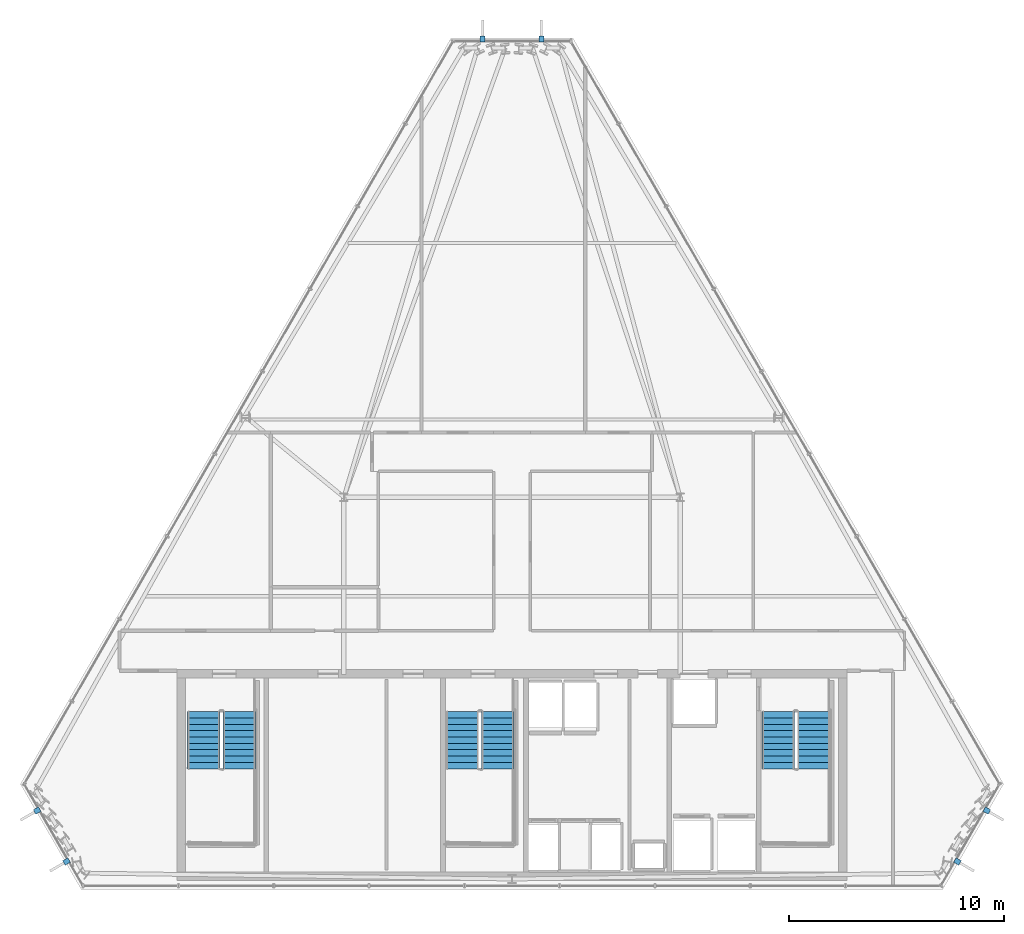
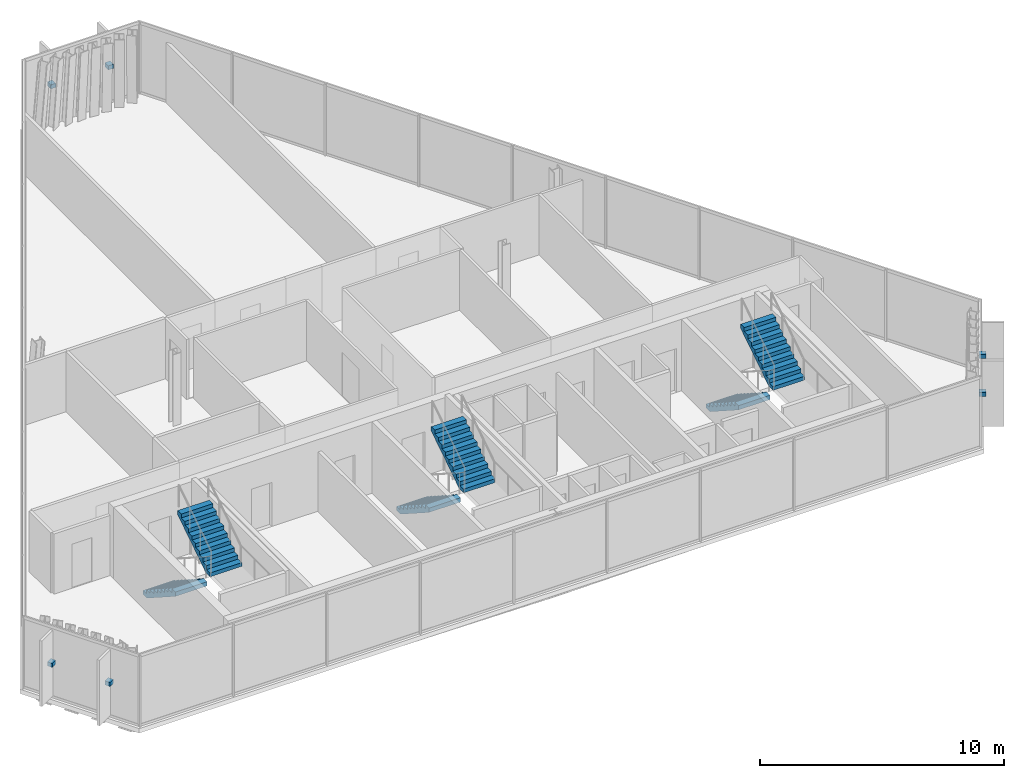
# One storey, part 31 of 34: 6 discrete accessories, 6 stair flights, 3 elements without a shape of their own.
"""IFC4 building model written with IfcOpenShell, lengths in metres."""

from ifc_helpers import new_model, si_unit, direction, frame, origin, origin_2d, place, context, subcontext, project, spatial, polyline, rectangle, outline, extrude, material, type_object, element, aggregate, save


model = new_model("IFC4")

# Units and contexts
model_context = context("Model", 3, precision=1e-05, world=origin(), true_north=direction((0.0, 1.0)))
body_context = subcontext(model_context, "Body", "Model", "MODEL_VIEW")
ifc_project = project(units=[si_unit("LENGTHUNIT", "METRE"), si_unit("AREAUNIT", "SQUARE_METRE"), si_unit("VOLUMEUNIT", "CUBIC_METRE"), si_unit("PLANEANGLEUNIT", "RADIAN"), si_unit("MASSUNIT", "GRAM", prefix="KILO")], contexts=[model_context])

# Site, building, storey
site_placement = place(None, origin())
site = spatial("IfcSite", under=ifc_project, at=site_placement, CompositionType="ELEMENT")
building_placement = place(site_placement, origin())
building = spatial("IfcBuilding", under=site, at=building_placement, Name="Ndaravel Arena Tower", CompositionType="ELEMENT")
storey_placement = place(building_placement, frame((0.0, 0.0, 267.39990234375)))
storey = spatial("IfcBuildingStorey", under=building, at=storey_placement, Name="L65", CompositionType="ELEMENT", Elevation=267.39990234375)

# Stair, stair flights
ifc_material_1 = material(Name="Concrete C40/50", Category="concrete")
stair_type = type_object("IfcStairType", Name="STAIR-CORE-HT", PredefinedType="HALF_TURN_STAIR", material=ifc_material_1)
stair_1_placement = place(storey_placement, origin())
stair_1 = element("IfcStair", 1, at=stair_1_placement, inside=storey, type_object=stair_type, Name="L65 ST-1", PredefinedType="HALF_TURN_STAIR")
ifc_material_2 = material(Name="Concrete C40/50", Category="concrete")
stair_flight_type = type_object("IfcStairFlightType", Name="SFLIGHT-CORE-1680", PredefinedType="STRAIGHT", material=ifc_material_2)
stair_flight_1_placement = place(storey_placement, frame((27.699951171875, 13.25, 0.0), z_axis=(0.0, 0.0, 1.0), x_axis=(0.0, -1.0, 0.0)))
stair_flight_1 = element("IfcStairFlight", 2, at=stair_flight_1_placement, type_object=stair_flight_type, Name="ST-1 flight 1", NumberOfRisers=10, NumberOfTreads=9, PredefinedType="STRAIGHT", RiserHeight=0.19, TreadLength=0.295, context=body_context, shape_type="SweptSolid", body=[
    extrude(outline(polyline([(0.0, 0.0), (0.0, 0.18994140625), (0.294921875, 0.18994140625), (0.294921875, 0.3798828125), (0.590087890625, 0.3798828125), (0.590087890625, 0.570068359375), (0.885009765625, 0.570068359375), (0.885009765625, 0.760009765625), (1.179931640625, 0.760009765625), (1.179931640625, 0.949951171875), (1.47509765625, 0.949951171875), (1.47509765625, 1.139892578125), (1.77001953125, 1.139892578125), (1.77001953125, 1.330078125), (2.06494140625, 1.330078125), (2.06494140625, 1.52001953125), (2.360107421875, 1.52001953125), (2.360107421875, 1.7099609375), (2.655029296875, 1.7099609375), (2.655029296875, 1.89990234375), (2.655029296875, 1.49609375), (0.332275390625, 0.0), (0.0, 0.0)])), frame((0.0, 0.75, 0.0), z_axis=(0.0, -1.0, 0.0), x_axis=(1.0, 0.0, 0.0)), (0.0, 0.0, 1.0), 1.5),
])
stair_flight_2_placement = place(storey_placement, frame((29.340087890625, 10.594970703125, 1.900146484375), z_axis=(0.0, 0.0, 1.0), x_axis=(0.0, 1.0, 0.0)))
stair_flight_2 = element("IfcStairFlight", 3, at=stair_flight_2_placement, type_object=stair_flight_type, Name="ST-1 flight 2", NumberOfRisers=10, NumberOfTreads=9, PredefinedType="STRAIGHT", RiserHeight=0.19, TreadLength=0.295, context=body_context, shape_type="SweptSolid", body=[
    extrude(outline(polyline([(0.0, 0.0), (0.0, 0.18994140625), (0.294921875, 0.18994140625), (0.294921875, 0.3798828125), (0.590087890625, 0.3798828125), (0.590087890625, 0.570068359375), (0.885009765625, 0.570068359375), (0.885009765625, 0.760009765625), (1.179931640625, 0.760009765625), (1.179931640625, 0.949951171875), (1.47509765625, 0.949951171875), (1.47509765625, 1.139892578125), (1.77001953125, 1.139892578125), (1.77001953125, 1.330078125), (2.06494140625, 1.330078125), (2.06494140625, 1.52001953125), (2.360107421875, 1.52001953125), (2.360107421875, 1.7099609375), (2.655029296875, 1.7099609375), (2.655029296875, 1.89990234375), (2.655029296875, 1.49609375), (0.332275390625, 0.0), (0.0, 0.0)])), frame((0.0, 0.75, 0.0), z_axis=(0.0, -1.0, 0.0), x_axis=(1.0, 0.0, 0.0)), (0.0, 0.0, 1.0), 1.5),
])
aggregate(stair_1, [stair_flight_1, stair_flight_2])

stair_2_placement = place(storey_placement, origin())
stair_2 = element("IfcStair", 4, at=stair_2_placement, inside=storey, type_object=stair_type, Name="L65 ST-2", PredefinedType="HALF_TURN_STAIR")
stair_flight_3_placement = place(storey_placement, frame((39.699951171875, 13.25, 0.0), z_axis=(0.0, 0.0, 1.0), x_axis=(0.0, -1.0, 0.0)))
stair_flight_3 = element("IfcStairFlight", 5, at=stair_flight_3_placement, type_object=stair_flight_type, Name="ST-2 flight 1", NumberOfRisers=10, NumberOfTreads=9, PredefinedType="STRAIGHT", RiserHeight=0.19, TreadLength=0.295, context=body_context, shape_type="SweptSolid", body=[
    extrude(outline(polyline([(0.0, 0.0), (0.0, 0.18994140625), (0.294921875, 0.18994140625), (0.294921875, 0.3798828125), (0.590087890625, 0.3798828125), (0.590087890625, 0.570068359375), (0.885009765625, 0.570068359375), (0.885009765625, 0.760009765625), (1.179931640625, 0.760009765625), (1.179931640625, 0.949951171875), (1.47509765625, 0.949951171875), (1.47509765625, 1.139892578125), (1.77001953125, 1.139892578125), (1.77001953125, 1.330078125), (2.06494140625, 1.330078125), (2.06494140625, 1.52001953125), (2.360107421875, 1.52001953125), (2.360107421875, 1.7099609375), (2.655029296875, 1.7099609375), (2.655029296875, 1.89990234375), (2.655029296875, 1.49609375), (0.332275390625, 0.0), (0.0, 0.0)])), frame((0.0, 0.75, 0.0), z_axis=(0.0, -1.0, 0.0), x_axis=(1.0, 0.0, 0.0)), (0.0, 0.0, 1.0), 1.5),
])
stair_flight_4_placement = place(storey_placement, frame((41.340087890625, 10.594970703125, 1.900146484375), z_axis=(0.0, 0.0, 1.0), x_axis=(0.0, 1.0, 0.0)))
stair_flight_4 = element("IfcStairFlight", 6, at=stair_flight_4_placement, type_object=stair_flight_type, Name="ST-2 flight 2", NumberOfRisers=10, NumberOfTreads=9, PredefinedType="STRAIGHT", RiserHeight=0.19, TreadLength=0.295, context=body_context, shape_type="SweptSolid", body=[
    extrude(outline(polyline([(0.0, 0.0), (0.0, 0.18994140625), (0.294921875, 0.18994140625), (0.294921875, 0.3798828125), (0.590087890625, 0.3798828125), (0.590087890625, 0.570068359375), (0.885009765625, 0.570068359375), (0.885009765625, 0.760009765625), (1.179931640625, 0.760009765625), (1.179931640625, 0.949951171875), (1.47509765625, 0.949951171875), (1.47509765625, 1.139892578125), (1.77001953125, 1.139892578125), (1.77001953125, 1.330078125), (2.06494140625, 1.330078125), (2.06494140625, 1.52001953125), (2.360107421875, 1.52001953125), (2.360107421875, 1.7099609375), (2.655029296875, 1.7099609375), (2.655029296875, 1.89990234375), (2.655029296875, 1.49609375), (0.332275390625, 0.0), (0.0, 0.0)])), frame((0.0, 0.75, 0.0), z_axis=(0.0, -1.0, 0.0), x_axis=(1.0, 0.0, 0.0)), (0.0, 0.0, 1.0), 1.5),
])
aggregate(stair_2, [stair_flight_3, stair_flight_4])

stair_3_placement = place(storey_placement, origin())
stair_3 = element("IfcStair", 7, at=stair_3_placement, inside=storey, type_object=stair_type, Name="L65 ST-3", PredefinedType="HALF_TURN_STAIR")
stair_flight_5_placement = place(storey_placement, frame((54.35009765625, 13.25, 0.0), z_axis=(0.0, 0.0, 1.0), x_axis=(0.0, -1.0, 0.0)))
stair_flight_5 = element("IfcStairFlight", 8, at=stair_flight_5_placement, type_object=stair_flight_type, Name="ST-3 flight 1", NumberOfRisers=10, NumberOfTreads=9, PredefinedType="STRAIGHT", RiserHeight=0.19, TreadLength=0.295, context=body_context, shape_type="SweptSolid", body=[
    extrude(outline(polyline([(0.0, 0.0), (0.0, 0.18994140625), (0.294921875, 0.18994140625), (0.294921875, 0.3798828125), (0.590087890625, 0.3798828125), (0.590087890625, 0.570068359375), (0.885009765625, 0.570068359375), (0.885009765625, 0.760009765625), (1.179931640625, 0.760009765625), (1.179931640625, 0.949951171875), (1.47509765625, 0.949951171875), (1.47509765625, 1.139892578125), (1.77001953125, 1.139892578125), (1.77001953125, 1.330078125), (2.06494140625, 1.330078125), (2.06494140625, 1.52001953125), (2.360107421875, 1.52001953125), (2.360107421875, 1.7099609375), (2.655029296875, 1.7099609375), (2.655029296875, 1.89990234375), (2.655029296875, 1.49609375), (0.332275390625, 0.0), (0.0, 0.0)])), frame((0.0, 0.75, 0.0), z_axis=(0.0, -1.0, 0.0), x_axis=(1.0, 0.0, 0.0)), (0.0, 0.0, 1.0), 1.5),
])
stair_flight_6_placement = place(storey_placement, frame((55.989990234375, 10.594970703125, 1.900146484375), z_axis=(0.0, 0.0, 1.0), x_axis=(0.0, 1.0, 0.0)))
stair_flight_6 = element("IfcStairFlight", 9, at=stair_flight_6_placement, type_object=stair_flight_type, Name="ST-3 flight 2", NumberOfRisers=10, NumberOfTreads=9, PredefinedType="STRAIGHT", RiserHeight=0.19, TreadLength=0.295, context=body_context, shape_type="SweptSolid", body=[
    extrude(outline(polyline([(0.0, 0.0), (0.0, 0.18994140625), (0.294921875, 0.18994140625), (0.294921875, 0.3798828125), (0.590087890625, 0.3798828125), (0.590087890625, 0.570068359375), (0.885009765625, 0.570068359375), (0.885009765625, 0.760009765625), (1.179931640625, 0.760009765625), (1.179931640625, 0.949951171875), (1.47509765625, 0.949951171875), (1.47509765625, 1.139892578125), (1.77001953125, 1.139892578125), (1.77001953125, 1.330078125), (2.06494140625, 1.330078125), (2.06494140625, 1.52001953125), (2.360107421875, 1.52001953125), (2.360107421875, 1.7099609375), (2.655029296875, 1.7099609375), (2.655029296875, 1.89990234375), (2.655029296875, 1.49609375), (0.332275390625, 0.0), (0.0, 0.0)])), frame((0.0, 0.75, 0.0), z_axis=(0.0, -1.0, 0.0), x_axis=(1.0, 0.0, 0.0)), (0.0, 0.0, 1.0), 1.5),
])
aggregate(stair_3, [stair_flight_5, stair_flight_6])

# Discrete accessories
ifc_material_3 = material(Name="Steel S355", Category="steel")
discrete_accessory_type = type_object("IfcDiscreteAccessoryType", Name="ACC-BRACKET-FIN", PredefinedType="BRACKET", material=ifc_material_3)
for number, where, z_axis, x_axis, name in (
    (10, (62.670166015625, 6.292236328125, 1.68994140625), (0.0, 0.0, 1.0), (0.866025403784, -0.5, 0.0), "L65 Mazeras Stone Solar Fin E2.1 Bracket"),
    (11, (64.035400390625, 8.656494140625, 1.68994140625), (0.0, 0.0, 1.0), (0.866025403784, -0.5, 0.0), "L65 Mazeras Stone Solar Fin E2.2 Bracket"),
    (12, (43.364990234375, 44.45849609375, 1.68994140625), (0.0, 0.0, 1.0), (0.0, 1.0, 0.0), "L65 Mazeras Stone Solar Fin E4.1 Bracket"),
    (13, (40.635009765625, 44.45849609375, 1.68994140625), (0.0, 0.0, 1.0), (0.0, 1.0, 0.0), "L65 Mazeras Stone Solar Fin E4.2 Bracket"),
    (14, (19.964599609375, 8.656494140625, 1.68994140625), (0.0, 0.0, 1.0), (-0.866025403784, -0.5, 0.0), "L65 Mazeras Stone Solar Fin E6.1 Bracket"),
    (15, (21.329833984375, 6.292236328125, 1.68994140625), (0.0, 0.0, 1.0), (-0.866025403784, -0.5, 0.0), "L65 Mazeras Stone Solar Fin E6.2 Bracket"),
):
    element("IfcDiscreteAccessory", number, at=place(storey_placement, frame(where, z_axis=z_axis, x_axis=x_axis)), inside=storey, type_object=discrete_accessory_type, Name=name, PredefinedType="BRACKET", context=body_context, shape_type="SweptSolid", body=[
        extrude(rectangle(XDim=0.280029296875, YDim=0.239990234375, at=origin_2d()), origin(), (0.0, 0.0, 1.0), 0.199951171875),
    ])

save(model, "model.ifc")
